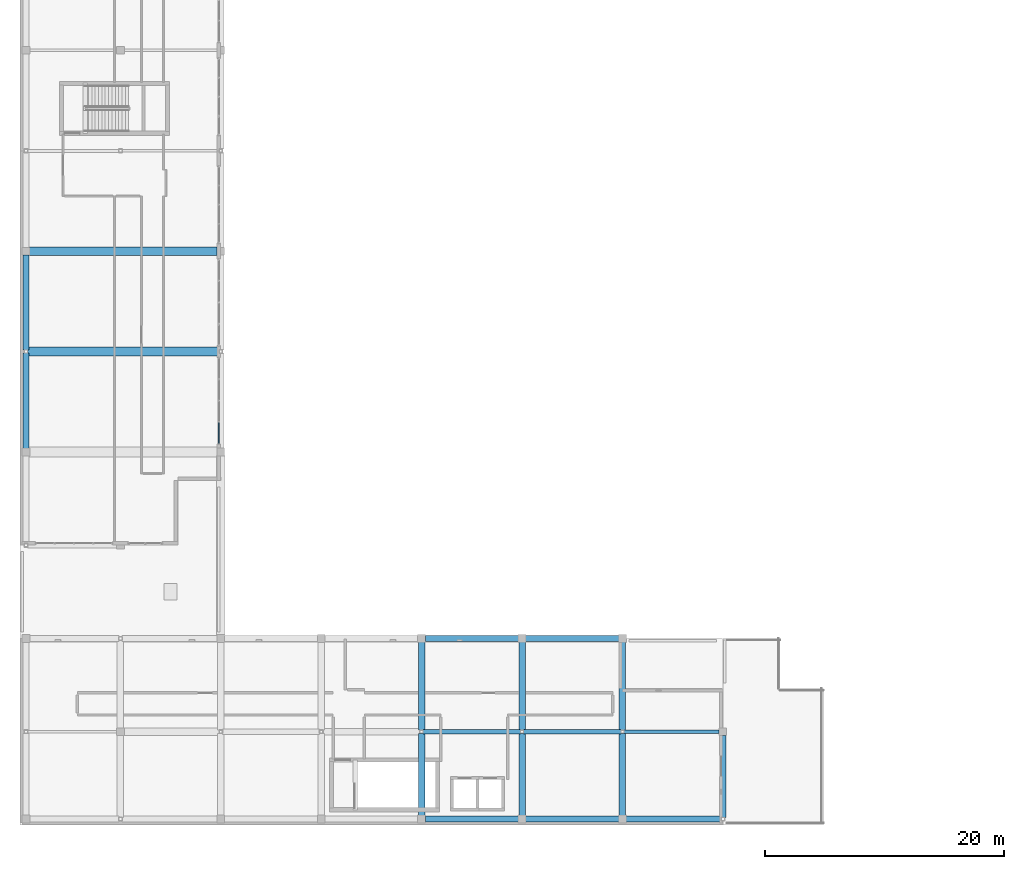
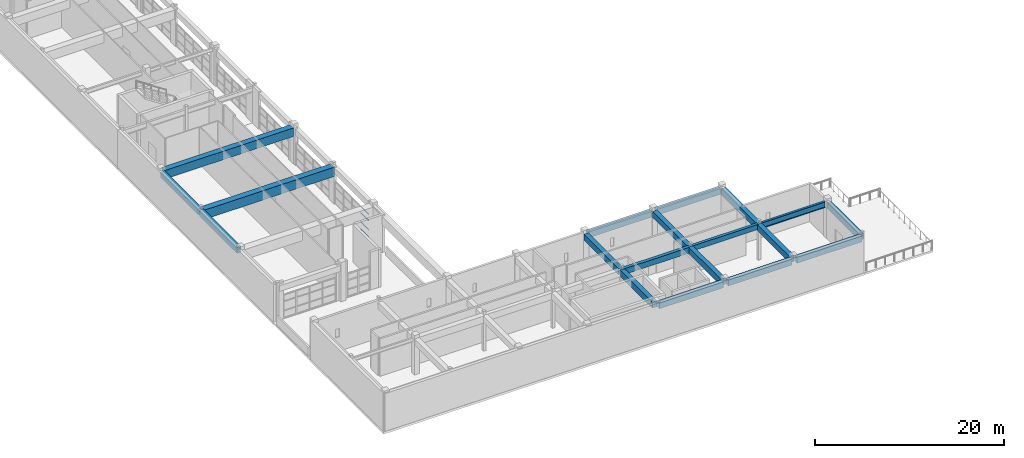
# One storey, part 14 of 78: 19 beams, 4 members, 1 element without a shape of its own.
"""IFC4 building model written with IfcOpenShell, lengths in metres."""

from ifc_helpers import new_model, si_unit, direction, frame, origin, origin_2d, place, context, subcontext, project, spatial, rectangle, hollow_rectangle, i_section, extrude, material, layer, layer_set, material_profile, profile_set, type_object, element, aggregate, save


model = new_model("IFC4")

# Units and contexts
model_context = context("Model", 3, precision=1e-05, world=origin(), true_north=direction((0.0, 1.0)))
body_context = subcontext(model_context, "Body", "Model", "MODEL_VIEW")
ifc_project = project(units=[si_unit("LENGTHUNIT", "METRE"), si_unit("AREAUNIT", "SQUARE_METRE"), si_unit("VOLUMEUNIT", "CUBIC_METRE"), si_unit("PLANEANGLEUNIT", "RADIAN"), si_unit("MASSUNIT", "GRAM", prefix="KILO")], contexts=[model_context])

# Site, building, storey
site_placement = place(None, origin())
site = spatial("IfcSite", under=ifc_project, at=site_placement, CompositionType="ELEMENT")
building_placement = place(site_placement, origin())
building = spatial("IfcBuilding", under=site, at=building_placement, Name="Quendrovan Civic Courthouse", CompositionType="ELEMENT")
storey_placement = place(building_placement, frame((0.0, 0.0, 20.39990234375)))
storey = spatial("IfcBuildingStorey", under=building, at=storey_placement, Name="L05", CompositionType="ELEMENT", Elevation=20.39990234375)

# Beams
ifc_material_1 = material(Name="Post-tensioned concrete C50/60", Category="concrete")
ifc_material_profile_1 = material_profile(ifc_material_1, rectangle(XDim=0.699951171875, YDim=1.10009765625, at=origin_2d()), Name="PT-GIRD-700x1100")
ifc_profile_set_1 = profile_set([ifc_material_profile_1], Name="Post-tensioned concrete C50/60")
beam_type_1 = type_object("IfcBeamType", Name="BM-PT1100", PredefinedType="BEAM", material=ifc_profile_set_1)
beam_1_placement = place(storey_placement, frame((0.804931640625, 48.0, 4.110107421875), z_axis=(1.0, 0.0, 0.0), x_axis=(0.0, 1.0, 0.0)))
element("IfcBeam", 1, at=beam_1_placement, inside=storey, type_object=beam_type_1, Name="L05 Girder X1026", PredefinedType="BEAM", context=body_context, shape_type="SweptSolid", body=[
    extrude(rectangle(XDim=0.699951171875, YDim=1.10009765625, at=origin_2d()), origin(), (0.0, 0.0, 1.0), 15.690185546875),
])
ifc_material_profile_2 = material_profile(ifc_material_1, rectangle(XDim=0.75, YDim=1.199951171875, at=origin_2d()), Name="PT-GIRD-750x1200")
ifc_profile_set_2 = profile_set([ifc_material_profile_2], Name="Post-tensioned concrete C50/60")
beam_type_2 = type_object("IfcBeamType", Name="BM-PT1200", PredefinedType="BEAM", material=ifc_profile_set_2)
beam_2_placement = place(storey_placement, frame((0.6298828125, 39.60009765625, 4.06005859375), z_axis=(1.0, 0.0, 0.0), x_axis=(0.0, 1.0, 0.0)))
element("IfcBeam", 2, at=beam_2_placement, inside=storey, type_object=beam_type_2, Name="L05 Girder X1025", PredefinedType="BEAM", context=body_context, shape_type="SweptSolid", body=[
    extrude(rectangle(XDim=0.75, YDim=1.199951171875, at=origin_2d()), origin(), (0.0, 0.0, 1.0), 16.0400390625),
])
ifc_material_2 = material(Name="Concrete C40/50", Category="concrete")
ifc_material_profile_3 = material_profile(ifc_material_2, rectangle(XDim=0.35009765625, YDim=0.64990234375, at=origin_2d()), Name="RC-BM-350x650")
ifc_profile_set_3 = profile_set([ifc_material_profile_3], Name="Concrete C40/50")
beam_type_3 = type_object("IfcBeamType", Name="BM-RC650B", PredefinedType="BEAM", material=ifc_profile_set_3)
beam_3_placement = place(storey_placement, frame((42.1298828125, 7.800048828125, 4.335205078125), z_axis=(1.0, 0.0, 0.0), x_axis=(0.0, 1.0, 0.0)))
element("IfcBeam", 3, at=beam_3_placement, inside=storey, type_object=beam_type_3, Name="L05 Girder X1015", PredefinedType="BEAM", context=body_context, shape_type="SweptSolid", body=[
    extrude(rectangle(XDim=0.35009765625, YDim=0.64990234375, at=origin_2d()), origin(), (0.0, 0.0, 1.0), 8.14013671875),
])
ifc_material_profile_4 = material_profile(ifc_material_2, rectangle(XDim=0.5, YDim=0.75, at=origin_2d()), Name="RC-BM-500x750")
ifc_profile_set_4 = profile_set([ifc_material_profile_4], Name="Concrete C40/50")
beam_type_4 = type_object("IfcBeamType", Name="BM-RC750", PredefinedType="SPANDREL", material=ifc_profile_set_4)
for number, where, z_axis, x_axis, name in (
    (4, (33.905029296875, 0.5, 4.28515625), (1.0, 0.0, 0.0), (0.0, 1.0, 0.0), "L05 Girder X1007"),
    (5, (42.304931640625, 0.5, 4.28515625), (1.0, 0.0, 0.0), (0.0, 1.0, 0.0), "L05 Girder X1008"),
):
    element("IfcBeam", number, at=place(storey_placement, frame(where, z_axis=z_axis, x_axis=x_axis)), inside=storey, type_object=beam_type_4, Name=name, PredefinedType="SPANDREL", context=body_context, shape_type="SweptSolid", body=[
        extrude(rectangle(XDim=0.5, YDim=0.75, at=origin_2d()), origin(), (0.0, 0.0, 1.0), 7.7900390625),
    ])
beam_4_placement = place(storey_placement, frame((50.705078125, 0.5, 4.28515625), z_axis=(1.0, 0.0, 0.0), x_axis=(0.0, 1.0, 0.0)))
element("IfcBeam", 6, at=beam_4_placement, inside=storey, type_object=beam_type_4, Name="L05 Girder X1009", PredefinedType="SPANDREL", context=body_context, shape_type="SweptSolid", body=[
    extrude(rectangle(XDim=0.5, YDim=0.75, at=origin_2d()), origin(), (0.0, 0.0, 1.0), 7.96484375),
])
for number, where, z_axis, x_axis, name in (
    (7, (33.905029296875, 15.60009765625, 4.28515625), (1.0, 0.0, 0.0), (0.0, 1.0, 0.0), "L05 Girder X1021"),
    (8, (42.304931640625, 15.60009765625, 4.28515625), (1.0, 0.0, 0.0), (0.0, 1.0, 0.0), "L05 Girder X1022"),
):
    element("IfcBeam", number, at=place(storey_placement, frame(where, z_axis=z_axis, x_axis=x_axis)), inside=storey, type_object=beam_type_4, Name=name, PredefinedType="SPANDREL", context=body_context, shape_type="SweptSolid", body=[
        extrude(rectangle(XDim=0.5, YDim=0.75, at=origin_2d()), origin(), (0.0, 0.0, 1.0), 7.7900390625),
    ])
for number, where, z_axis, x_axis, name in (
    (9, (0.5, 31.5048828125, 4.28515625), (0.0, 1.0, 0.0), (-1.0, 0.0, 0.0), "L05 Girder Y1053"),
    (10, (0.5, 39.72998046875, 4.28515625), (0.0, 1.0, 0.0), (-1.0, 0.0, 0.0), "L05 Girder Y1054"),
):
    element("IfcBeam", number, at=place(storey_placement, frame(where, z_axis=z_axis, x_axis=x_axis)), inside=storey, type_object=beam_type_4, Name=name, PredefinedType="SPANDREL", context=body_context, shape_type="SweptSolid", body=[
        extrude(rectangle(XDim=0.5, YDim=0.75, at=origin_2d()), origin(), (0.0, 0.0, 1.0), 7.965087890625),
    ])
beam_5_placement = place(storey_placement, frame((58.800048828125, 0.6298828125, 4.28515625), z_axis=(0.0, 1.0, 0.0), x_axis=(-1.0, 0.0, 0.0)))
element("IfcBeam", 11, at=beam_5_placement, inside=storey, type_object=beam_type_4, Name="L05 Girder Y1085", PredefinedType="SPANDREL", context=body_context, shape_type="SweptSolid", body=[
    extrude(rectangle(XDim=0.5, YDim=0.75, at=origin_2d()), origin(), (0.0, 0.0, 1.0), 6.865234375),
])
ifc_material_profile_5 = material_profile(ifc_material_2, rectangle(XDim=0.39990234375, YDim=0.75, at=origin_2d()), Name="RC-BM-400x750")
ifc_profile_set_5 = profile_set([ifc_material_profile_5], Name="Concrete C40/50")
beam_type_5 = type_object("IfcBeamType", Name="BM-RC750B", PredefinedType="BEAM", material=ifc_profile_set_5)
beam_6_placement = place(storey_placement, frame((33.72998046875, 7.800048828125, 4.28515625), z_axis=(1.0, 0.0, 0.0), x_axis=(0.0, 1.0, 0.0)))
element("IfcBeam", 12, at=beam_6_placement, inside=storey, type_object=beam_type_5, Name="L05 Girder X1014", PredefinedType="BEAM", context=body_context, shape_type="SweptSolid", body=[
    extrude(rectangle(XDim=0.39990234375, YDim=0.75, at=origin_2d()), origin(), (0.0, 0.0, 1.0), 8.14013671875),
])
ifc_material_profile_6 = material_profile(ifc_material_2, rectangle(XDim=0.550048828125, YDim=0.800048828125, at=origin_2d()), Name="RC-BM-550x800")
ifc_profile_set_6 = profile_set([ifc_material_profile_6], Name="Concrete C40/50")
beam_type_6 = type_object("IfcBeamType", Name="BM-RC800", PredefinedType="BEAM", material=ifc_profile_set_6)
beam_7_placement = place(storey_placement, frame((33.60009765625, 0.804931640625, 4.260009765625), z_axis=(0.0, 1.0, 0.0), x_axis=(-1.0, 0.0, 0.0)))
element("IfcBeam", 13, at=beam_7_placement, inside=storey, type_object=beam_type_6, Name="L05 Girder Y1075", PredefinedType="BEAM", context=body_context, shape_type="SweptSolid", body=[
    extrude(rectangle(XDim=0.550048828125, YDim=0.800048828125, at=origin_2d()), origin(), (0.0, 0.0, 1.0), 6.864990234375),
])
beam_8_placement = place(storey_placement, frame((33.60009765625, 7.929931640625, 4.260009765625), z_axis=(0.0, 1.0, 0.0), x_axis=(-1.0, 0.0, 0.0)))
element("IfcBeam", 14, at=beam_8_placement, inside=storey, type_object=beam_type_6, Name="L05 Girder Y1076", PredefinedType="BEAM", context=body_context, shape_type="SweptSolid", body=[
    extrude(rectangle(XDim=0.550048828125, YDim=0.800048828125, at=origin_2d()), origin(), (0.0, 0.0, 1.0), 7.364990234375),
])
beam_9_placement = place(storey_placement, frame((42.0, 0.804931640625, 4.260009765625), z_axis=(0.0, 1.0, 0.0), x_axis=(-1.0, 0.0, 0.0)))
element("IfcBeam", 15, at=beam_9_placement, inside=storey, type_object=beam_type_6, Name="L05 Girder Y1079", PredefinedType="BEAM", context=body_context, shape_type="SweptSolid", body=[
    extrude(rectangle(XDim=0.550048828125, YDim=0.800048828125, at=origin_2d()), origin(), (0.0, 0.0, 1.0), 6.864990234375),
])
beam_10_placement = place(storey_placement, frame((42.0, 7.929931640625, 4.260009765625), z_axis=(0.0, 1.0, 0.0), x_axis=(-1.0, 0.0, 0.0)))
element("IfcBeam", 16, at=beam_10_placement, inside=storey, type_object=beam_type_6, Name="L05 Girder Y1080", PredefinedType="BEAM", context=body_context, shape_type="SweptSolid", body=[
    extrude(rectangle(XDim=0.550048828125, YDim=0.800048828125, at=origin_2d()), origin(), (0.0, 0.0, 1.0), 7.364990234375),
])
beam_11_placement = place(storey_placement, frame((50.39990234375, 0.804931640625, 4.260009765625), z_axis=(0.0, 1.0, 0.0), x_axis=(-1.0, 0.0, 0.0)))
element("IfcBeam", 17, at=beam_11_placement, inside=storey, type_object=beam_type_6, Name="L05 Girder Y1081", PredefinedType="BEAM", context=body_context, shape_type="SweptSolid", body=[
    extrude(rectangle(XDim=0.550048828125, YDim=0.800048828125, at=origin_2d()), origin(), (0.0, 0.0, 1.0), 6.864990234375),
])
beam_12_placement = place(storey_placement, frame((50.39990234375, 7.929931640625, 4.260009765625), z_axis=(0.0, 1.0, 0.0), x_axis=(-1.0, 0.0, 0.0)))
element("IfcBeam", 18, at=beam_12_placement, inside=storey, type_object=beam_type_6, Name="L05 Girder Y1082", PredefinedType="BEAM", context=body_context, shape_type="SweptSolid", body=[
    extrude(rectangle(XDim=0.550048828125, YDim=0.800048828125, at=origin_2d()), origin(), (0.0, 0.0, 1.0), 7.364990234375),
])
ifc_material_3 = material(Name="Steel ASTM A992 Grade 50", Category="steel")
ifc_material_profile_7 = material_profile(ifc_material_3, i_section(OverallWidth=0.26611328125, OverallDepth=0.758056640625, WebThickness=0.013916015625, FlangeThickness=0.019287109375, at=origin_2d()), Name="W30X108")
ifc_profile_set_7 = profile_set([ifc_material_profile_7], Name="Steel ASTM A992 Grade 50")
beam_type_7 = type_object("IfcBeamType", Name="BM-STL-W30", PredefinedType="BEAM", material=ifc_profile_set_7)
beam_13_placement = place(storey_placement, frame((50.530029296875, 7.800048828125, 4.281005859375), z_axis=(1.0, 0.0, 0.0), x_axis=(0.0, 1.0, 0.0)))
element("IfcBeam", 19, at=beam_13_placement, inside=storey, type_object=beam_type_7, Name="L05 Girder X1016", PredefinedType="BEAM", context=body_context, shape_type="SweptSolid", body=[
    extrude(i_section(OverallWidth=0.26611328125, OverallDepth=0.758056640625, WebThickness=0.013916015625, FlangeThickness=0.019287109375, at=origin_2d()), origin(), (0.0, 0.0, 1.0), 7.965087890625),
])

# Curtain wall, members
ifc_material_4 = material(Name="Bronze anodised aluminium and low-E glass", Category="aluminium")
ifc_layer = layer(ifc_material_4, 0.179931640625, Name="Bronze anodised aluminium and low-E glass")
ifc_layer_set = layer_set([ifc_layer], Name="Bronze anodised aluminium and low-E glass")
curtain_wall_type = type_object("IfcCurtainWallType", Name="CW-U72x30", PredefinedType="USERDEFINED", material=ifc_layer_set)
curtain_wall_placement = place(storey_placement, origin())
curtain_wall = element("IfcCurtainWall", 20, at=curtain_wall_placement, inside=storey, type_object=curtain_wall_type, Name="L05 Unitised Hurricane Curtain Wall CW-187", ObjectType="UNITISED CURTAIN WALL", PredefinedType="USERDEFINED")
ifc_material_5 = material(Name="Bronze anodised aluminium", Category="aluminium")
ifc_material_profile_8 = material_profile(ifc_material_5, hollow_rectangle(XDim=0.06494140625, YDim=0.114990234375, WallThickness=0.00390625, at=origin_2d()), Name="CW-TRAN-65x115")
ifc_profile_set_8 = profile_set([ifc_material_profile_8], Name="Bronze anodised aluminium")
member_type = type_object("IfcMemberType", Name="CW-TRAN-B", PredefinedType="USERDEFINED", material=ifc_profile_set_8)
member_1_placement = place(storey_placement, frame((16.635009765625, 33.648681640625, 0.03271484375), z_axis=(0.0, -1.0, 0.0), x_axis=(1.0, 0.0, 0.0)))
member_1 = element("IfcMember", 21, at=member_1_placement, type_object=member_type, Name="CW-187 transom 4.1", ObjectType="TRANSOM", PredefinedType="USERDEFINED", context=body_context, shape_type="SweptSolid", body=[
    extrude(hollow_rectangle(XDim=0.06494140625, YDim=0.114990234375, WallThickness=0.00390625, at=origin_2d()), origin(), (0.0, 0.0, 1.0), 1.708740234375),
])
member_2_placement = place(storey_placement, frame((16.635009765625, 33.648681640625, 0.9501953125), z_axis=(0.0, -1.0, 0.0), x_axis=(1.0, 0.0, 0.0)))
member_2 = element("IfcMember", 22, at=member_2_placement, type_object=member_type, Name="CW-187 transom 4.2", ObjectType="TRANSOM", PredefinedType="USERDEFINED", context=body_context, shape_type="SweptSolid", body=[
    extrude(hollow_rectangle(XDim=0.06494140625, YDim=0.114990234375, WallThickness=0.00390625, at=origin_2d()), origin(), (0.0, 0.0, 1.0), 1.708740234375),
])
member_3_placement = place(storey_placement, frame((16.635009765625, 33.648681640625, 2.150146484375), z_axis=(0.0, -1.0, 0.0), x_axis=(1.0, 0.0, 0.0)))
member_3 = element("IfcMember", 23, at=member_3_placement, type_object=member_type, Name="CW-187 transom 4.3", ObjectType="TRANSOM", PredefinedType="USERDEFINED", context=body_context, shape_type="SweptSolid", body=[
    extrude(hollow_rectangle(XDim=0.06494140625, YDim=0.114990234375, WallThickness=0.00390625, at=origin_2d()), origin(), (0.0, 0.0, 1.0), 1.708740234375),
])
member_4_placement = place(storey_placement, frame((16.635009765625, 33.648681640625, 2.95751953125), z_axis=(0.0, -1.0, 0.0), x_axis=(1.0, 0.0, 0.0)))
member_4 = element("IfcMember", 24, at=member_4_placement, type_object=member_type, Name="CW-187 transom 4.4", ObjectType="TRANSOM", PredefinedType="USERDEFINED", context=body_context, shape_type="SweptSolid", body=[
    extrude(hollow_rectangle(XDim=0.06494140625, YDim=0.114990234375, WallThickness=0.00390625, at=origin_2d()), origin(), (0.0, 0.0, 1.0), 1.708740234375),
])
aggregate(curtain_wall, [member_1, member_2, member_3, member_4])

save(model, "model.ifc")
